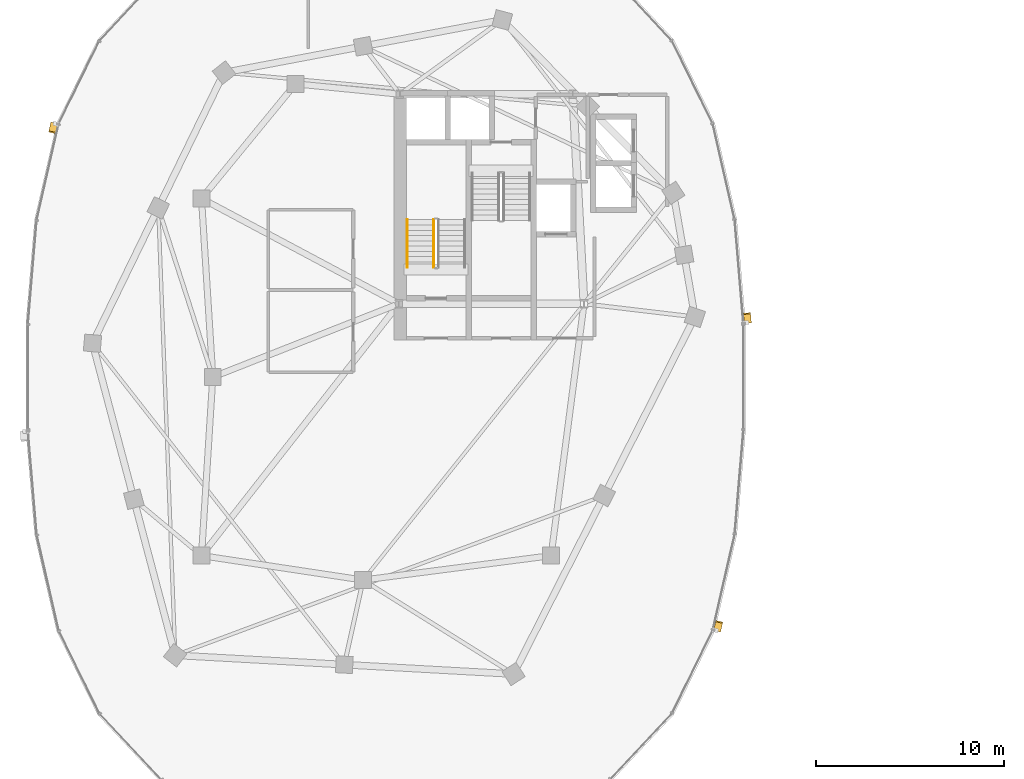
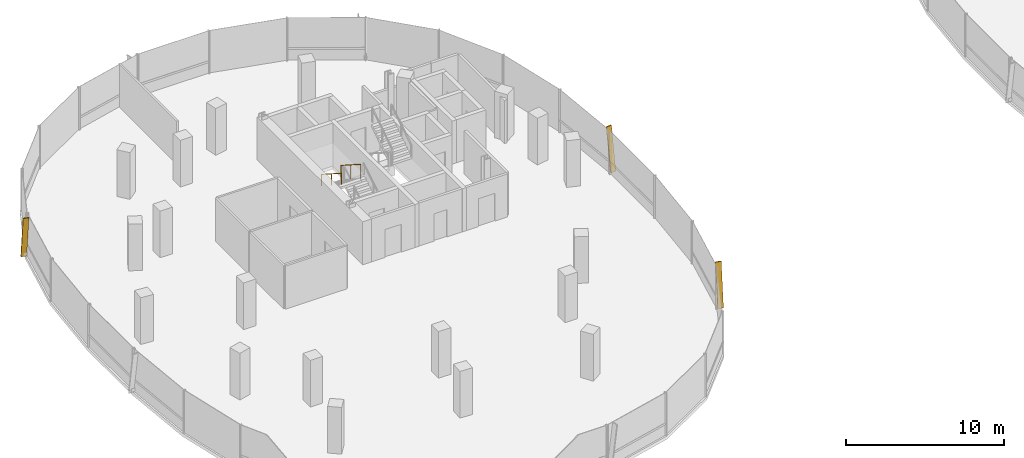
# One storey, part 21 of 24: 3 shading devices, 2 railings.
"""IFC4 building model written with IfcOpenShell, lengths in metres."""

from ifc_helpers import new_model, si_unit, direction, frame, origin, origin_2d, place, context, subcontext, project, spatial, rectangle, extrude, material, material_profile, profile_set, type_object, element, save


model = new_model("IFC4")

# Units and contexts
model_context = context("Model", 3, precision=1e-05, world=origin(), true_north=direction((0.0, 1.0)))
body_context = subcontext(model_context, "Body", "Model", "MODEL_VIEW")
ifc_project = project(units=[si_unit("LENGTHUNIT", "METRE"), si_unit("AREAUNIT", "SQUARE_METRE"), si_unit("VOLUMEUNIT", "CUBIC_METRE"), si_unit("PLANEANGLEUNIT", "RADIAN"), si_unit("MASSUNIT", "GRAM", prefix="KILO"), si_unit("THERMODYNAMICTEMPERATUREUNIT", "KELVIN"), si_unit("POWERUNIT", "WATT")], contexts=[model_context])

# Site, building, storey
site_placement = place(None, origin())
site = spatial("IfcSite", under=ifc_project, at=site_placement, CompositionType="ELEMENT")
building_placement = place(site_placement, origin())
building = spatial("IfcBuilding", under=site, at=building_placement, Name="Cundina Bronze Exchange", CompositionType="ELEMENT")
storey_placement = place(building_placement, frame((0.0, 0.0, 231.39990234375)))
storey = spatial("IfcBuildingStorey", under=building, at=storey_placement, Name="L61", CompositionType="ELEMENT", Elevation=231.39990234375)

# Railings
ifc_material_1 = material(Name="Steel ASTM A36 Painted", Category="steel")
railing_type_1 = type_object("IfcRailingType", Name="RLG-HND-900", PredefinedType="HANDRAIL", material=ifc_material_1)
railing_1_placement = place(storey_placement, frame((-30.85009765625, 8.3701171875, 1.97998046875)))
element("IfcRailing", 1, at=railing_1_placement, inside=storey, type_object=railing_type_1, Name="L61 ST-W1 stair handrail 2", PredefinedType="HANDRAIL", context=body_context, shape_type="SweptSolid", body=[
    extrude(rectangle(XDim=0.048095703125, YDim=0.048095703125, at=origin_2d()), frame((0.0, 0.0, 0.8759765625), z_axis=(0.0, -0.841162588446, 0.540782303519), x_axis=(1.0, 0.0, 0.0)), (0.0, 0.0, 1.0), 2.995849609375),
    extrude(rectangle(XDim=0.0419921875, YDim=0.0419921875, at=origin_2d()), origin(), (0.0, 0.0, 1.0), 0.851806640625),
    extrude(rectangle(XDim=0.0419921875, YDim=0.0419921875, at=origin_2d()), frame((0.0, -1.260009765625, 0.81005859375)), (0.0, 0.0, 1.0), 0.851806640625),
    extrude(rectangle(XDim=0.0419921875, YDim=0.0419921875, at=origin_2d()), frame((0.0, -2.52001953125, 1.6201171875)), (0.0, 0.0, 1.0), 0.851806640625),
])
railing_type_2 = type_object("IfcRailingType", Name="RLG-STG-1100", PredefinedType="GUARDRAIL", material=ifc_material_1)
railing_2_placement = place(storey_placement, frame((-29.449951171875, 8.3701171875, 1.97998046875)))
element("IfcRailing", 2, at=railing_2_placement, inside=storey, type_object=railing_type_2, Name="L61 ST-W1 stair guard 3", PredefinedType="GUARDRAIL", context=body_context, shape_type="SweptSolid", body=[
    extrude(rectangle(XDim=0.048095703125, YDim=0.048095703125, at=origin_2d()), frame((0.0, 0.0, 1.076171875), z_axis=(0.0, -0.841162588446, 0.540782303519), x_axis=(1.0, 0.0, 0.0)), (0.0, 0.0, 1.0), 2.995849609375),
    extrude(rectangle(XDim=0.0419921875, YDim=0.0419921875, at=origin_2d()), origin(), (0.0, 0.0, 1.0), 1.052001953125),
    extrude(rectangle(XDim=0.0419921875, YDim=0.0419921875, at=origin_2d()), frame((0.0, -1.260009765625, 0.81005859375)), (0.0, 0.0, 1.0), 1.052001953125),
    extrude(rectangle(XDim=0.0419921875, YDim=0.0419921875, at=origin_2d()), frame((0.0, -2.52001953125, 1.6201171875)), (0.0, 0.0, 1.0), 1.052001953125),
])

# Shading devices
ifc_material_2 = material(Name="Anodised Bronze Aluminium 6063-T6", Category="aluminium")
ifc_material_profile = material_profile(ifc_material_2, rectangle(XDim=0.070068359375, YDim=0.3798828125, at=origin_2d()), Name="FIN70X380", Category="aluminium")
ifc_profile_set = profile_set([ifc_material_profile], Name="Anodised Bronze Aluminium 6063-T6")
shading_device_type = type_object("IfcShadingDeviceType", Name="SHD-FIN-BRZ380", PredefinedType="USERDEFINED", material=ifc_profile_set)
for number, where, z_axis, x_axis, name in (
    (3, (-12.735595703125, 2.90283203125, 0.02001953125), (-0.01207830578, 0.144276835504, 0.989463647269), (0.082545368101, -0.986014488469, 0.144781527598), "L61 Diagonal Bronze Solar Fin 1"),
    (4, (-49.636962890625, 13.4931640625, 0.02001953125), (-0.03233129648, -0.14118244955, 0.989455508452), (0.220871384574, 0.964488483437, 0.14483713886), "L61 Diagonal Bronze Solar Fin 5"),
    (5, (-14.363037109375, -13.4931640625, 0.02001953125), (0.03233129648, 0.14118244955, 0.989455508452), (-0.220871384574, -0.964488483437, 0.14483713886), "L61 Diagonal Bronze Solar Fin 5"),
):
    element("IfcShadingDevice", number, at=place(storey_placement, frame(where, z_axis=z_axis, x_axis=x_axis)), inside=storey, type_object=shading_device_type, Name=name, ObjectType="FIN", PredefinedType="USERDEFINED", context=body_context, shape_type="SweptSolid", body=[
        extrude(rectangle(XDim=0.070068359375, YDim=0.3798828125, at=origin_2d()), origin(), (0.0, 0.0, 1.0), 3.31494140625),
    ])

save(model, "model.ifc")
